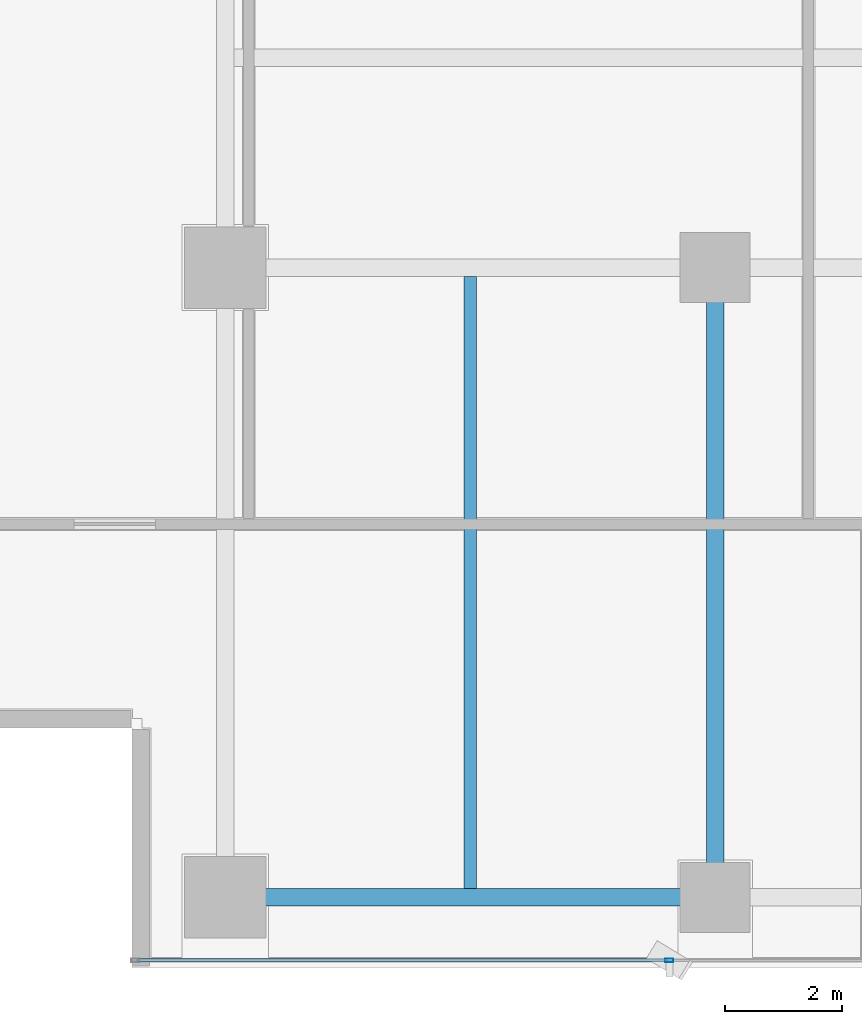
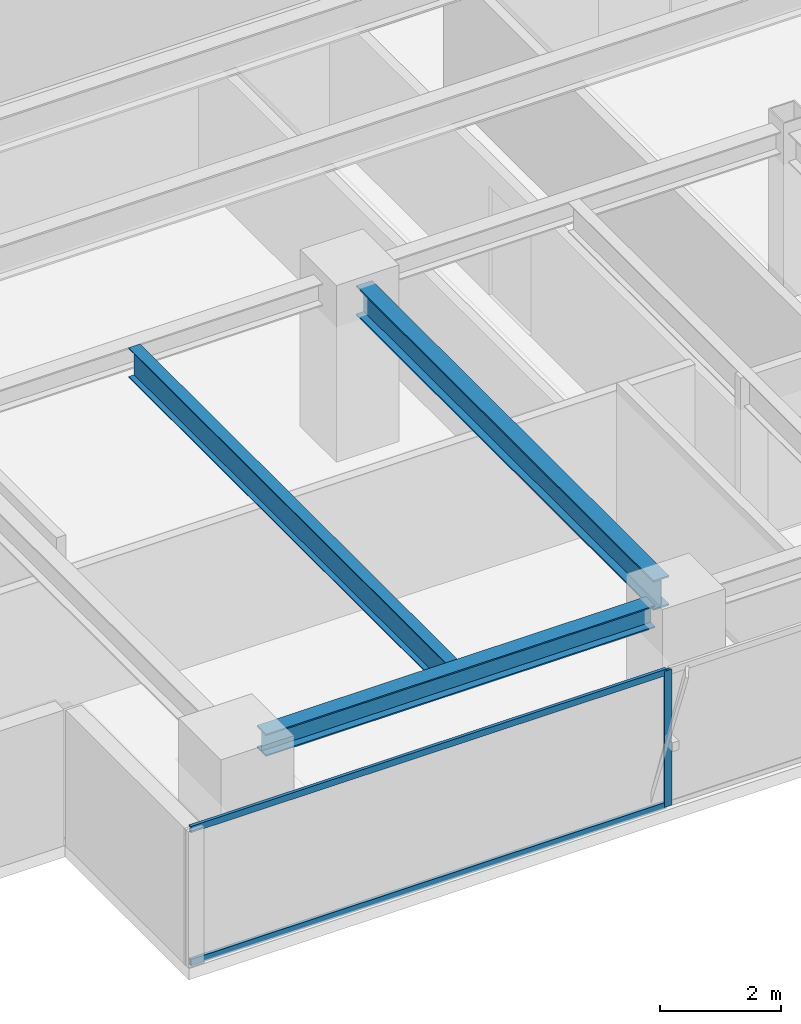
# One storey, part 3 of 26: 3 beams, 3 members, 1 element without a shape of its own.
"""IFC4 building model written with IfcOpenShell, lengths in metres."""

import ifcopenshell
import ifcopenshell.guid

model = None  # the IFC model being written
_history = None  # IfcOwnerHistory: only IFC2X3 demands one
_inside = {}  # id of a spatial element -> (the spatial element, [elements in it])
_under = {}  # id of a project, library or spatial element -> (it, [spatial elements below it])
_declared = {}  # id of a project -> (the project, [libraries it declares])
_typed = {}  # id of a type object -> (the type object, [elements of that type])
_made_of = {}  # id of a material, layer set ... -> (it, [elements and type objects made of it])


def new_model(schema):
    """Start an empty IFC model of exactly this schema.

    Asked for "IFC4X3", IfcOpenShell would pick the latest addendum, in which some entities
    have other attributes; the version numbers below select the first issue.
    IFC2X3 requires an IfcOwnerHistory on every rooted entity: one is made here for all.
    """
    global model, _history
    if schema == "IFC4X3":
        model = ifcopenshell.file(schema_version=(4, 3, 0, 0))
    else:
        model = ifcopenshell.file(schema=schema)
    _inside.clear()
    _under.clear()
    _declared.clear()
    _typed.clear()
    _made_of.clear()
    _history = None
    if model.schema == "IFC2X3":
        org = make("IfcOrganization", Name="unknown")
        user = make(
            "IfcPersonAndOrganization",
            ThePerson=make("IfcPerson", FamilyName="unknown"),
            TheOrganization=org,
        )
        app = make(
            "IfcApplication",
            ApplicationDeveloper=org,
            Version="unknown",
            ApplicationFullName="unknown",
            ApplicationIdentifier="unknown",
        )
        _history = make(
            "IfcOwnerHistory",
            OwningUser=user,
            OwningApplication=app,
            ChangeAction="ADDED",
            CreationDate=0,
        )
    return model


def make(cls, **values):
    """One entity of the class cls with the attributes given. An attribute that is None is left unset."""
    return model.create_entity(
        cls, **{name: value for name, value in values.items() if value is not None}
    )


def rooted(cls, **values):
    """An entity with a GlobalId (a new one), such as an element, a storey or a relation."""
    return make(cls, GlobalId=ifcopenshell.guid.new(), OwnerHistory=_history, **values)


def si_unit(unit_type, name, prefix=None):
    """IfcSIUnit, for example si_unit("LENGTHUNIT", "METRE", prefix="MILLI")."""
    return make("IfcSIUnit", UnitType=unit_type, Prefix=prefix, Name=name)


def assignment(units):
    """IfcUnitAssignment: the units of a project."""
    return None if units is None else make("IfcUnitAssignment", Units=units)


def point(xyz):
    """IfcCartesianPoint."""
    return None if xyz is None else make("IfcCartesianPoint", Coordinates=xyz)


def direction(xyz):
    """IfcDirection."""
    return None if xyz is None else make("IfcDirection", DirectionRatios=xyz)


def frame(location, z_axis=None, x_axis=None):
    """IfcAxis2Placement3D, a coordinate frame: its origin and axes. An axis left out is left unset."""
    return make(
        "IfcAxis2Placement3D",
        Location=point(location),
        Axis=direction(z_axis),
        RefDirection=direction(x_axis),
    )


def frame_2d(location, x_axis=None):
    """IfcAxis2Placement2D, a coordinate frame in the plane: its origin and x axis."""
    return make(
        "IfcAxis2Placement2D", Location=point(location), RefDirection=direction(x_axis)
    )


def origin():
    """The frame at (0, 0, 0) with its axes left unset."""
    return frame((0.0, 0.0, 0.0))


def origin_2d():
    """The frame at (0, 0) in the plane with its x axis left unset."""
    return frame_2d((0.0, 0.0))


def place(relative_to, where):
    """IfcLocalPlacement: puts the frame where relative to a parent placement (None: the world)."""
    return make(
        "IfcLocalPlacement", PlacementRelTo=relative_to, RelativePlacement=where
    )


def context(
    kind, dimensions, precision=None, world=None, true_north=None, identifier=None
):
    """IfcGeometricRepresentationContext, for example the 3D "Model" context."""
    return make(
        "IfcGeometricRepresentationContext",
        ContextIdentifier=identifier,
        ContextType=kind,
        CoordinateSpaceDimension=dimensions,
        Precision=precision,
        WorldCoordinateSystem=world,
        TrueNorth=true_north,
    )


def subcontext(parent, identifier, kind, view, scale=None):
    """IfcGeometricRepresentationSubContext, for example "Body" below "Model"."""
    return make(
        "IfcGeometricRepresentationSubContext",
        ContextIdentifier=identifier,
        ContextType=kind,
        ParentContext=parent,
        TargetScale=scale,
        TargetView=view,
    )


def project(units=None, contexts=None):
    """IfcProject with its units and contexts."""
    return rooted(
        "IfcProject",
        Name="project",
        RepresentationContexts=contexts,
        UnitsInContext=assignment(units),
    )


def spatial(cls, under=None, at=None, **own):
    """A site, building, storey or space (cls), placed at a placement, below another one or the project."""
    s = rooted(cls, ObjectPlacement=at, **own)
    if under is not None:
        _under.setdefault(under.id(), (under, []))[1].append(s)
    return s


def profile(cls, at=None, kind="AREA", **sizes):
    """A parametric profile (cls). Its sizes go by their IFC names, for example OverallWidth=200.0."""
    return make(cls, ProfileType=kind, Position=at, **sizes)


def hollow_rectangle(**sizes):
    """IfcRectangleHollowProfileDef."""
    return profile("IfcRectangleHollowProfileDef", **sizes)


def i_section(**sizes):
    """IfcIShapeProfileDef."""
    return profile("IfcIShapeProfileDef", **sizes)


def extrude(swept, where, along, depth):
    """IfcExtrudedAreaSolid: the profile swept, set in the frame where, extruded along a direction by depth."""
    return make(
        "IfcExtrudedAreaSolid",
        SweptArea=swept,
        Position=where,
        ExtrudedDirection=direction(along),
        Depth=depth,
    )


def shape(context_of_items, identifier, shape_type, items):
    """IfcShapeRepresentation: the items that make up one representation, for example the "Body"."""
    return make(
        "IfcShapeRepresentation",
        ContextOfItems=context_of_items,
        RepresentationIdentifier=identifier,
        RepresentationType=shape_type,
        Items=items,
    )


def source(mapping_origin, context_of_items, identifier, shape_type, items):
    """IfcRepresentationMap: a shape defined once, which mapped items show again and again."""
    return make(
        "IfcRepresentationMap",
        MappingOrigin=mapping_origin,
        MappedRepresentation=shape(context_of_items, identifier, shape_type, items),
    )


def transform(
    local_origin,
    x_axis=None,
    y_axis=None,
    z_axis=None,
    scale=None,
    scale2=None,
    scale3=None,
    uniform=True,
):
    """IfcCartesianTransformationOperator3D, or its non-uniform kind. x_axis, y_axis, z_axis: its Axis1, 2, 3."""
    if uniform:
        return make(
            "IfcCartesianTransformationOperator3D",
            Axis1=direction(x_axis),
            Axis2=direction(y_axis),
            LocalOrigin=point(local_origin),
            Scale=scale,
            Axis3=direction(z_axis),
        )
    return make(
        "IfcCartesianTransformationOperator3DnonUniform",
        Axis1=direction(x_axis),
        Axis2=direction(y_axis),
        LocalOrigin=point(local_origin),
        Scale=scale,
        Axis3=direction(z_axis),
        Scale2=scale2,
        Scale3=scale3,
    )


def mapped(mapping_source, mapping_target):
    """IfcMappedItem: shows the shape of a source again, moved by a transform."""
    return make(
        "IfcMappedItem", MappingSource=mapping_source, MappingTarget=mapping_target
    )


def material(Name=None, Category=None):
    """IfcMaterial."""
    return make("IfcMaterial", Name=Name, Category=Category)


def layer(
    of_material, thickness, ventilated=None, Name=None, Category=None, Priority=None
):
    """IfcMaterialLayer: one layer of a wall or slab, of a material (None: an air gap)."""
    return make(
        "IfcMaterialLayer",
        Material=of_material,
        LayerThickness=thickness,
        IsVentilated=ventilated,
        Name=Name,
        Category=Category,
        Priority=Priority,
    )


def layer_set(layers, Name=None):
    """IfcMaterialLayerSet."""
    return make("IfcMaterialLayerSet", MaterialLayers=layers, LayerSetName=Name)


def material_profile(
    of_material, cross_section, Name=None, Category=None, Priority=None
):
    """IfcMaterialProfile: a cross section and its material."""
    return make(
        "IfcMaterialProfile",
        Name=Name,
        Material=of_material,
        Profile=cross_section,
        Priority=Priority,
        Category=Category,
    )


def profile_set(profiles, Name=None, composite=None):
    """IfcMaterialProfileSet."""
    return make(
        "IfcMaterialProfileSet",
        Name=Name,
        MaterialProfiles=profiles,
        CompositeProfile=composite,
    )


def made_of(thing, what):
    """Note that an element or type object is made of a material, layer set ...; save() writes the relation."""
    if what is not None:
        _made_of.setdefault(what.id(), (what, []))[1].append(thing)
    return thing


def type_object(cls, material=None, **own):
    """A type object (cls), such as IfcWallType, which elements share."""
    return made_of(rooted(cls, **own), material)


def element(
    cls,
    number,
    at=None,
    inside=None,
    cuts=None,
    type_object=None,
    material=None,
    context=None,
    identifier="Body",
    shape_type=None,
    held_by="IfcProductDefinitionShape",
    body=None,
    shapes=None,
    **own,
):
    """One element of the class cls, such as IfcWall. Its Tag is "e" and its number.

    at: its placement. inside: the storey or other place that contains it. cuts: it is an
    opening in that element (IfcRelVoidsElement). A single representation is given by context,
    identifier, shape_type and body (its items); several are given by shapes. held_by: the class
    of the entity that holds the representations. save() writes the other relations.
    """
    e = rooted(cls, Tag="e%d" % number, ObjectPlacement=at, **own)
    if body is not None:
        shapes = [shape(context, identifier, shape_type, body)]
    if shapes is not None:
        e.Representation = make(held_by, Representations=shapes)
    if inside is not None:
        _inside.setdefault(inside.id(), (inside, []))[1].append(e)
    if cuts is not None:
        rooted(
            "IfcRelVoidsElement", RelatingBuildingElement=cuts, RelatedOpeningElement=e
        )
    if type_object is not None:
        _typed.setdefault(type_object.id(), (type_object, []))[1].append(e)
    return made_of(e, material)


def aggregate(whole, parts):
    """IfcRelAggregates: a whole, such as a stair, and the parts it consists of."""
    return rooted("IfcRelAggregates", RelatingObject=whole, RelatedObjects=parts)


def save(model, path):
    """Write the relations noted so far, then the file.

    IfcRelAggregates (storeys below a building ...), IfcRelContainedInSpatialStructure (elements
    in a storey), IfcRelDefinesByType, IfcRelAssociatesMaterial and IfcRelDeclares: one each for
    every whole, place, type object, material and project.
    """
    for whole, parts in _under.values():
        aggregate(whole, parts)
    for where, things in _inside.values():
        rooted(
            "IfcRelContainedInSpatialStructure",
            RelatedElements=things,
            RelatingStructure=where,
        )
    for kind, things in _typed.values():
        rooted("IfcRelDefinesByType", RelatedObjects=things, RelatingType=kind)
    for what, things in _made_of.values():
        rooted("IfcRelAssociatesMaterial", RelatedObjects=things, RelatingMaterial=what)
    for by, libraries in _declared.values():
        rooted("IfcRelDeclares", RelatingContext=by, RelatedDefinitions=libraries)
    model.write(path)


model = new_model("IFC4")

# Units and contexts
model_context = context("Model", 3, precision=1e-05, world=origin(), true_north=direction((0.0, 1.0)))
body_context = subcontext(model_context, "Body", "Model", "MODEL_VIEW")
ifc_project = project(units=[si_unit("LENGTHUNIT", "METRE"), si_unit("AREAUNIT", "SQUARE_METRE"), si_unit("VOLUMEUNIT", "CUBIC_METRE"), si_unit("PLANEANGLEUNIT", "RADIAN"), si_unit("MASSUNIT", "GRAM", prefix="KILO")], contexts=[model_context])

# Site, building, storey
site_placement = place(None, origin())
site = spatial("IfcSite", under=ifc_project, at=site_placement, CompositionType="ELEMENT")
building_placement = place(site_placement, origin())
building = spatial("IfcBuilding", under=site, at=building_placement, Name="Sumidabori Civic Tower", CompositionType="ELEMENT")
storey_placement = place(building_placement, frame((0.0, 0.0, 264.800048828125)))
storey = spatial("IfcBuildingStorey", under=building, at=storey_placement, Name="L69", CompositionType="ELEMENT", Elevation=264.800048828125)

# Beams
ifc_material_1 = material(Name="Steel SN490", Category="steel")
ifc_material_profile_1 = material_profile(ifc_material_1, i_section(OverallWidth=0.300048828125, OverallDepth=0.60009765625, WebThickness=0.015380859375, FlangeThickness=0.030029296875, at=origin_2d()), Name="HE 600 B")
ifc_profile_set_1 = profile_set([ifc_material_profile_1], Name="Steel SN490")
beam_type_1 = type_object("IfcBeamType", Name="BM-GIRD-600", PredefinedType="BEAM", material=ifc_profile_set_1)
shared_shape_1 = source(origin(), body_context, "Body", "SweptSolid", [
    extrude(i_section(OverallWidth=0.300048828125, OverallDepth=0.60009765625, WebThickness=0.015380859375, FlangeThickness=0.030029296875, at=origin_2d()), origin(), (0.0, 0.0, 1.0), 9.840087890625),
])
beam_1_placement = place(storey_placement, frame((-8.39990234375, -10.320068359375, 3.070068359375), z_axis=(0.0, 1.0, 0.0), x_axis=(-1.0, 0.0, 0.0)))
element("IfcBeam", 1, at=beam_1_placement, inside=storey, type_object=beam_type_1, Name="Primary Girder L69 GY-12", PredefinedType="BEAM", context=body_context, shape_type="MappedRepresentation", body=[
    mapped(shared_shape_1, transform((0.0, 0.0, 0.0), x_axis=(1.0, 0.0, 0.0), y_axis=(0.0, 1.0, 0.0), z_axis=(0.0, 0.0, 1.0), scale=1.0)),
])
ifc_material_profile_2 = material_profile(ifc_material_1, i_section(OverallWidth=0.300048828125, OverallDepth=0.449951171875, WebThickness=0.013916015625, FlangeThickness=0.02587890625, at=origin_2d()), Name="HE 450 B")
ifc_profile_set_2 = profile_set([ifc_material_profile_2], Name="Steel SN490")
beam_type_2 = type_object("IfcBeamType", Name="BM-GIRD-450", PredefinedType="BEAM", material=ifc_profile_set_2)
shared_shape_2 = source(origin(), body_context, "Body", "SweptSolid", [
    extrude(i_section(OverallWidth=0.300048828125, OverallDepth=0.449951171875, WebThickness=0.013916015625, FlangeThickness=0.02587890625, at=origin_2d()), origin(), (0.0, 0.0, 1.0), 7.440185546875),
])
beam_2_placement = place(storey_placement, frame((-16.320068359375, -10.800048828125, 3.14501953125), z_axis=(1.0, 0.0, 0.0), x_axis=(0.0, 1.0, 0.0)))
element("IfcBeam", 2, at=beam_2_placement, inside=storey, type_object=beam_type_2, Name="Primary Girder L69 GX-01", PredefinedType="BEAM", context=body_context, shape_type="MappedRepresentation", body=[
    mapped(shared_shape_2, transform((0.0, 0.0, 0.0), x_axis=(1.0, 0.0, 0.0), y_axis=(0.0, 1.0, 0.0), z_axis=(0.0, 0.0, 1.0), scale=1.0)),
])
ifc_material_profile_3 = material_profile(ifc_material_1, i_section(OverallWidth=0.219970703125, OverallDepth=0.60009765625, WebThickness=0.011962890625, FlangeThickness=0.01904296875, at=origin_2d()), Name="IPE 600")
ifc_profile_set_3 = profile_set([ifc_material_profile_3], Name="Steel SN490")
beam_type_3 = type_object("IfcBeamType", Name="BM-JST-600", PredefinedType="JOIST", material=ifc_profile_set_3)
shared_shape_3 = source(origin(), body_context, "Body", "SweptSolid", [
    extrude(i_section(OverallWidth=0.219970703125, OverallDepth=0.60009765625, WebThickness=0.011962890625, FlangeThickness=0.01904296875, at=origin_2d()), origin(), (0.0, 0.0, 1.0), 10.5),
])
beam_3_placement = place(storey_placement, frame((-12.60009765625, -10.64990234375, 3.070068359375), z_axis=(0.0, 1.0, 0.0), x_axis=(-1.0, 0.0, 0.0)))
element("IfcBeam", 3, at=beam_3_placement, inside=storey, type_object=beam_type_3, Name="Upper Lens N-S Floor Joist L69 JSTV-20", PredefinedType="JOIST", context=body_context, shape_type="MappedRepresentation", body=[
    mapped(shared_shape_3, transform((0.0, 0.0, 0.0), x_axis=(1.0, 0.0, 0.0), y_axis=(0.0, 1.0, 0.0), z_axis=(0.0, 0.0, 1.0), scale=1.0)),
])

# Curtain wall, members
ifc_material_2 = material(Name="Anodised Bronze Aluminium AW-6063-T6", Category="aluminium")
ifc_layer = layer(ifc_material_2, 0.179931640625, Name="Anodised Bronze Aluminium AW-6063-T6")
ifc_layer_set = layer_set([ifc_layer], Name="Anodised Bronze Aluminium AW-6063-T6")
curtain_wall_type = type_object("IfcCurtainWallType", Name="CW-SYS-5", PredefinedType="NOTDEFINED", material=ifc_layer_set)
curtain_wall_placement = place(storey_placement, origin())
curtain_wall = element("IfcCurtainWall", 4, at=curtain_wall_placement, inside=storey, type_object=curtain_wall_type, Name="Curtain Wall CW:L69:R01", PredefinedType="NOTDEFINED")
ifc_material_profile_4 = material_profile(ifc_material_2, hollow_rectangle(XDim=0.06005859375, YDim=0.1298828125, WallThickness=0.0048828125, at=origin_2d()), Name="ALU TRANSOM 130x60")
ifc_profile_set_4 = profile_set([ifc_material_profile_4], Name="Anodised Bronze Aluminium AW-6063-T6")
member_type_1 = type_object("IfcMemberType", Name="CW-TRN-130", PredefinedType="USERDEFINED", material=ifc_profile_set_4)
shared_shape_4 = source(origin(), body_context, "Body", "SweptSolid", [
    extrude(hollow_rectangle(XDim=0.06005859375, YDim=0.1298828125, WallThickness=0.0048828125, at=origin_2d()), origin(), (0.0, 0.0, 1.0), 9.094970703125),
])
member_1_placement = place(storey_placement, frame((-18.31005859375, -11.8798828125, 0.030029296875), z_axis=(1.0, 0.0, 0.0), x_axis=(0.0, 1.0, 0.0)))
member_1 = element("IfcMember", 5, at=member_1_placement, type_object=member_type_1, Name="CW-5 transom 1.1", ObjectType="TRANSOM", PredefinedType="USERDEFINED", context=body_context, shape_type="MappedRepresentation", body=[
    mapped(shared_shape_4, transform((0.0, 0.0, 0.0), x_axis=(1.0, 0.0, 0.0), y_axis=(0.0, 1.0, 0.0), z_axis=(0.0, 0.0, 1.0), scale=1.0)),
])
member_2_placement = place(storey_placement, frame((-18.31005859375, -11.8798828125, 2.719970703125), z_axis=(1.0, 0.0, 0.0), x_axis=(0.0, 1.0, 0.0)))
member_2 = element("IfcMember", 6, at=member_2_placement, type_object=member_type_1, Name="CW-5 transom 1.2", ObjectType="TRANSOM", PredefinedType="USERDEFINED", context=body_context, shape_type="MappedRepresentation", body=[
    mapped(shared_shape_4, transform((0.0, 0.0, 0.0), x_axis=(1.0, 0.0, 0.0), y_axis=(0.0, 1.0, 0.0), z_axis=(0.0, 0.0, 1.0), scale=1.0)),
])
ifc_material_profile_5 = material_profile(ifc_material_2, hollow_rectangle(XDim=0.06005859375, YDim=0.139892578125, WallThickness=0.0048828125, at=origin_2d()), Name="ALU MULLION 140x60")
ifc_profile_set_5 = profile_set([ifc_material_profile_5], Name="Anodised Bronze Aluminium AW-6063-T6")
member_type_2 = type_object("IfcMemberType", Name="CW-MUL-140", PredefinedType="MULLION", material=ifc_profile_set_5)
shared_shape_5 = source(origin(), body_context, "Body", "SweptSolid", [
    extrude(hollow_rectangle(XDim=0.06005859375, YDim=0.139892578125, WallThickness=0.0048828125, at=origin_2d()), origin(), (0.0, 0.0, 1.0), 2.75),
])
member_3_placement = place(storey_placement, frame((-9.18505859375, -11.8798828125, 0.0), z_axis=(0.0, 0.0, 1.0), x_axis=(0.0, 1.0, 0.0)))
member_3 = element("IfcMember", 7, at=member_3_placement, type_object=member_type_2, Name="CW-5 mullion 2", PredefinedType="MULLION", context=body_context, shape_type="MappedRepresentation", body=[
    mapped(shared_shape_5, transform((0.0, 0.0, 0.0), x_axis=(1.0, 0.0, 0.0), y_axis=(0.0, 1.0, 0.0), z_axis=(0.0, 0.0, 1.0), scale=1.0)),
])
aggregate(curtain_wall, [member_3, member_1, member_2])

save(model, "model.ifc")
